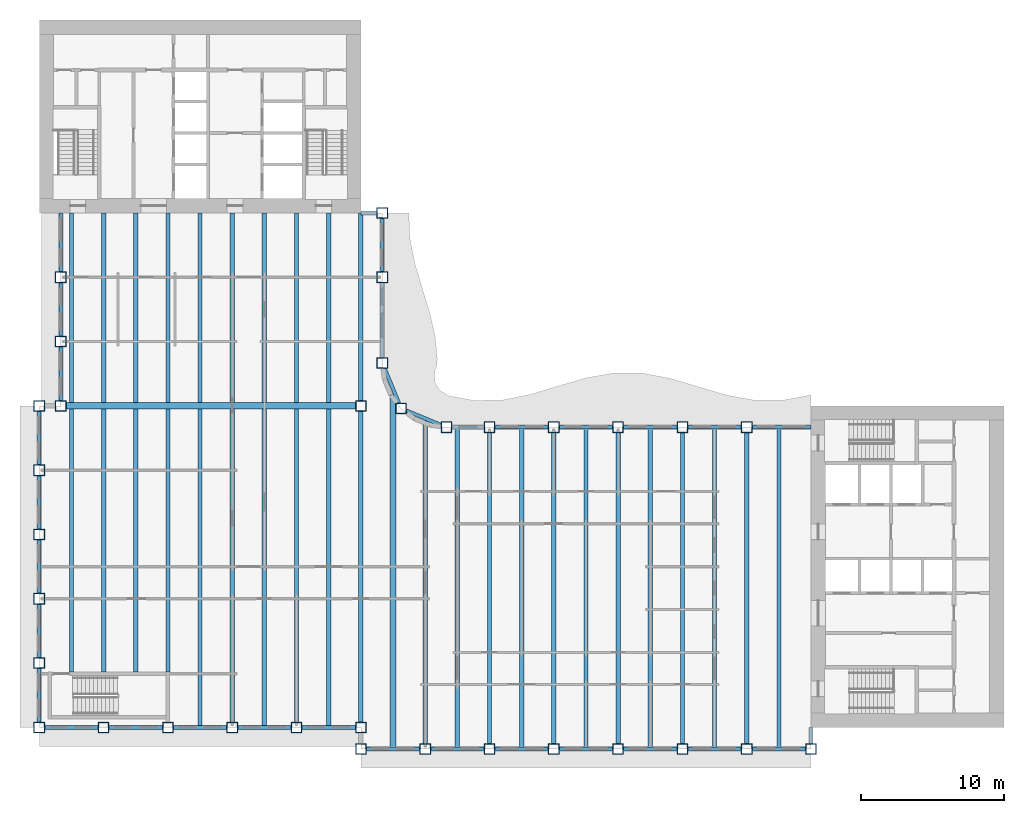
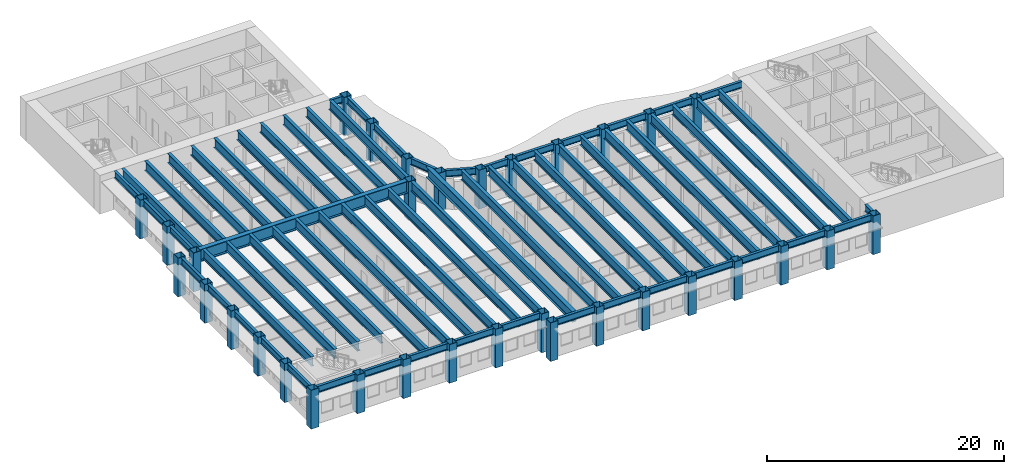
# One storey, part 1 of 16: 66 beams, 33 columns.
"""IFC4 building model written with IfcOpenShell, lengths in metres."""

import ifcopenshell
import ifcopenshell.guid

model = None  # the IFC model being written
_history = None  # IfcOwnerHistory: only IFC2X3 demands one
_inside = {}  # id of a spatial element -> (the spatial element, [elements in it])
_under = {}  # id of a project, library or spatial element -> (it, [spatial elements below it])
_declared = {}  # id of a project -> (the project, [libraries it declares])
_typed = {}  # id of a type object -> (the type object, [elements of that type])
_made_of = {}  # id of a material, layer set ... -> (it, [elements and type objects made of it])


def new_model(schema):
    """Start an empty IFC model of exactly this schema.

    Asked for "IFC4X3", IfcOpenShell would pick the latest addendum, in which some entities
    have other attributes; the version numbers below select the first issue.
    IFC2X3 requires an IfcOwnerHistory on every rooted entity: one is made here for all.
    """
    global model, _history
    if schema == "IFC4X3":
        model = ifcopenshell.file(schema_version=(4, 3, 0, 0))
    else:
        model = ifcopenshell.file(schema=schema)
    _inside.clear()
    _under.clear()
    _declared.clear()
    _typed.clear()
    _made_of.clear()
    _history = None
    if model.schema == "IFC2X3":
        org = make("IfcOrganization", Name="unknown")
        user = make(
            "IfcPersonAndOrganization",
            ThePerson=make("IfcPerson", FamilyName="unknown"),
            TheOrganization=org,
        )
        app = make(
            "IfcApplication",
            ApplicationDeveloper=org,
            Version="unknown",
            ApplicationFullName="unknown",
            ApplicationIdentifier="unknown",
        )
        _history = make(
            "IfcOwnerHistory",
            OwningUser=user,
            OwningApplication=app,
            ChangeAction="ADDED",
            CreationDate=0,
        )
    return model


def make(cls, **values):
    """One entity of the class cls with the attributes given. An attribute that is None is left unset."""
    return model.create_entity(
        cls, **{name: value for name, value in values.items() if value is not None}
    )


def rooted(cls, **values):
    """An entity with a GlobalId (a new one), such as an element, a storey or a relation."""
    return make(cls, GlobalId=ifcopenshell.guid.new(), OwnerHistory=_history, **values)


def si_unit(unit_type, name, prefix=None):
    """IfcSIUnit, for example si_unit("LENGTHUNIT", "METRE", prefix="MILLI")."""
    return make("IfcSIUnit", UnitType=unit_type, Prefix=prefix, Name=name)


def assignment(units):
    """IfcUnitAssignment: the units of a project."""
    return None if units is None else make("IfcUnitAssignment", Units=units)


def point(xyz):
    """IfcCartesianPoint."""
    return None if xyz is None else make("IfcCartesianPoint", Coordinates=xyz)


def direction(xyz):
    """IfcDirection."""
    return None if xyz is None else make("IfcDirection", DirectionRatios=xyz)


def frame(location, z_axis=None, x_axis=None):
    """IfcAxis2Placement3D, a coordinate frame: its origin and axes. An axis left out is left unset."""
    return make(
        "IfcAxis2Placement3D",
        Location=point(location),
        Axis=direction(z_axis),
        RefDirection=direction(x_axis),
    )


def frame_2d(location, x_axis=None):
    """IfcAxis2Placement2D, a coordinate frame in the plane: its origin and x axis."""
    return make(
        "IfcAxis2Placement2D", Location=point(location), RefDirection=direction(x_axis)
    )


def origin():
    """The frame at (0, 0, 0) with its axes left unset."""
    return frame((0.0, 0.0, 0.0))


def origin_2d():
    """The frame at (0, 0) in the plane with its x axis left unset."""
    return frame_2d((0.0, 0.0))


def place(relative_to, where):
    """IfcLocalPlacement: puts the frame where relative to a parent placement (None: the world)."""
    return make(
        "IfcLocalPlacement", PlacementRelTo=relative_to, RelativePlacement=where
    )


def context(
    kind, dimensions, precision=None, world=None, true_north=None, identifier=None
):
    """IfcGeometricRepresentationContext, for example the 3D "Model" context."""
    return make(
        "IfcGeometricRepresentationContext",
        ContextIdentifier=identifier,
        ContextType=kind,
        CoordinateSpaceDimension=dimensions,
        Precision=precision,
        WorldCoordinateSystem=world,
        TrueNorth=true_north,
    )


def subcontext(parent, identifier, kind, view, scale=None):
    """IfcGeometricRepresentationSubContext, for example "Body" below "Model"."""
    return make(
        "IfcGeometricRepresentationSubContext",
        ContextIdentifier=identifier,
        ContextType=kind,
        ParentContext=parent,
        TargetScale=scale,
        TargetView=view,
    )


def project(units=None, contexts=None):
    """IfcProject with its units and contexts."""
    return rooted(
        "IfcProject",
        Name="project",
        RepresentationContexts=contexts,
        UnitsInContext=assignment(units),
    )


def spatial(cls, under=None, at=None, **own):
    """A site, building, storey or space (cls), placed at a placement, below another one or the project."""
    s = rooted(cls, ObjectPlacement=at, **own)
    if under is not None:
        _under.setdefault(under.id(), (under, []))[1].append(s)
    return s


def profile(cls, at=None, kind="AREA", **sizes):
    """A parametric profile (cls). Its sizes go by their IFC names, for example OverallWidth=200.0."""
    return make(cls, ProfileType=kind, Position=at, **sizes)


def hollow_rectangle(**sizes):
    """IfcRectangleHollowProfileDef."""
    return profile("IfcRectangleHollowProfileDef", **sizes)


def i_section(**sizes):
    """IfcIShapeProfileDef."""
    return profile("IfcIShapeProfileDef", **sizes)


def extrude(swept, where, along, depth):
    """IfcExtrudedAreaSolid: the profile swept, set in the frame where, extruded along a direction by depth."""
    return make(
        "IfcExtrudedAreaSolid",
        SweptArea=swept,
        Position=where,
        ExtrudedDirection=direction(along),
        Depth=depth,
    )


def shape(context_of_items, identifier, shape_type, items):
    """IfcShapeRepresentation: the items that make up one representation, for example the "Body"."""
    return make(
        "IfcShapeRepresentation",
        ContextOfItems=context_of_items,
        RepresentationIdentifier=identifier,
        RepresentationType=shape_type,
        Items=items,
    )


def material(Name=None, Category=None):
    """IfcMaterial."""
    return make("IfcMaterial", Name=Name, Category=Category)


def material_profile(
    of_material, cross_section, Name=None, Category=None, Priority=None
):
    """IfcMaterialProfile: a cross section and its material."""
    return make(
        "IfcMaterialProfile",
        Name=Name,
        Material=of_material,
        Profile=cross_section,
        Priority=Priority,
        Category=Category,
    )


def profile_set(profiles, Name=None, composite=None):
    """IfcMaterialProfileSet."""
    return make(
        "IfcMaterialProfileSet",
        Name=Name,
        MaterialProfiles=profiles,
        CompositeProfile=composite,
    )


def made_of(thing, what):
    """Note that an element or type object is made of a material, layer set ...; save() writes the relation."""
    if what is not None:
        _made_of.setdefault(what.id(), (what, []))[1].append(thing)
    return thing


def type_object(cls, material=None, **own):
    """A type object (cls), such as IfcWallType, which elements share."""
    return made_of(rooted(cls, **own), material)


def element(
    cls,
    number,
    at=None,
    inside=None,
    cuts=None,
    type_object=None,
    material=None,
    context=None,
    identifier="Body",
    shape_type=None,
    held_by="IfcProductDefinitionShape",
    body=None,
    shapes=None,
    **own,
):
    """One element of the class cls, such as IfcWall. Its Tag is "e" and its number.

    at: its placement. inside: the storey or other place that contains it. cuts: it is an
    opening in that element (IfcRelVoidsElement). A single representation is given by context,
    identifier, shape_type and body (its items); several are given by shapes. held_by: the class
    of the entity that holds the representations. save() writes the other relations.
    """
    e = rooted(cls, Tag="e%d" % number, ObjectPlacement=at, **own)
    if body is not None:
        shapes = [shape(context, identifier, shape_type, body)]
    if shapes is not None:
        e.Representation = make(held_by, Representations=shapes)
    if inside is not None:
        _inside.setdefault(inside.id(), (inside, []))[1].append(e)
    if cuts is not None:
        rooted(
            "IfcRelVoidsElement", RelatingBuildingElement=cuts, RelatedOpeningElement=e
        )
    if type_object is not None:
        _typed.setdefault(type_object.id(), (type_object, []))[1].append(e)
    return made_of(e, material)


def aggregate(whole, parts):
    """IfcRelAggregates: a whole, such as a stair, and the parts it consists of."""
    return rooted("IfcRelAggregates", RelatingObject=whole, RelatedObjects=parts)


def save(model, path):
    """Write the relations noted so far, then the file.

    IfcRelAggregates (storeys below a building ...), IfcRelContainedInSpatialStructure (elements
    in a storey), IfcRelDefinesByType, IfcRelAssociatesMaterial and IfcRelDeclares: one each for
    every whole, place, type object, material and project.
    """
    for whole, parts in _under.values():
        aggregate(whole, parts)
    for where, things in _inside.values():
        rooted(
            "IfcRelContainedInSpatialStructure",
            RelatedElements=things,
            RelatingStructure=where,
        )
    for kind, things in _typed.values():
        rooted("IfcRelDefinesByType", RelatedObjects=things, RelatingType=kind)
    for what, things in _made_of.values():
        rooted("IfcRelAssociatesMaterial", RelatedObjects=things, RelatingMaterial=what)
    for by, libraries in _declared.values():
        rooted("IfcRelDeclares", RelatingContext=by, RelatedDefinitions=libraries)
    model.write(path)


model = new_model("IFC4")

# Units and contexts
model_context = context("Model", 3, precision=1e-05, world=origin(), true_north=direction((0.0, 1.0)))
body_context = subcontext(model_context, "Body", "Model", "MODEL_VIEW")
ifc_project = project(units=[si_unit("LENGTHUNIT", "METRE"), si_unit("AREAUNIT", "SQUARE_METRE"), si_unit("VOLUMEUNIT", "CUBIC_METRE"), si_unit("PLANEANGLEUNIT", "RADIAN"), si_unit("MASSUNIT", "GRAM", prefix="KILO")], contexts=[model_context])

# Site, building, storey
site_placement = place(None, origin())
site = spatial("IfcSite", under=ifc_project, at=site_placement, CompositionType="ELEMENT")
building_placement = place(site_placement, origin())
building = spatial("IfcBuilding", under=site, at=building_placement, Name="Sennacour Bend Tower", CompositionType="ELEMENT")
storey_placement = place(building_placement, frame((0.0, 0.0, 231.0)))
storey = spatial("IfcBuildingStorey", under=building, at=storey_placement, Name="L53", CompositionType="ELEMENT", Elevation=231.0)

# Columns
ifc_material_1 = material(Name="Steel ASTM A572 Grade 50", Category="steel")
ifc_material_profile_1 = material_profile(ifc_material_1, hollow_rectangle(XDim=0.75, YDim=0.75, WallThickness=0.035888671875, at=origin_2d()), Name="Steel ASTM A572 Grade 50", Category="steel")
ifc_profile_set_1 = profile_set([ifc_material_profile_1], Name="Steel ASTM A572 Grade 50")
column_type = type_object("IfcColumnType", Name="Box column 750", PredefinedType="COLUMN", material=ifc_profile_set_1)
for number, where, z_axis, x_axis, name in (
    (1, (0.0, 0.0, -0.14990234375), (0.0, 0.0, 1.0), (1.0, 0.0, 0.0), "Perimeter column C4 L53-001"),
    (2, (0.0, 4.5, -0.14990234375), (0.0, 0.0, 1.0), (1.0, 0.0, 0.0), "Perimeter column C4 L53-002"),
    (3, (0.0, 9.0, -0.14990234375), (0.0, 0.0, 1.0), (1.0, 0.0, 0.0), "Perimeter column C4 L53-003"),
    (4, (0.0, 13.5, -0.14990234375), (0.0, 0.0, 1.0), (1.0, 0.0, 0.0), "Perimeter column C4 L53-004"),
    (5, (0.0, 18.0, -0.14990234375), (0.0, 0.0, 1.0), (1.0, 0.0, 0.0), "Perimeter column C4 L53-005"),
    (6, (0.0, 22.5, -0.14990234375), (0.0, 0.0, 1.0), (1.0, 0.0, 0.0), "Perimeter column C4 L53-006"),
    (7, (1.5, 22.5, -0.14990234375), (0.0, 0.0, 1.0), (1.0, 0.0, 0.0), "Perimeter column C4 L53-007"),
    (8, (1.5, 27.0, -0.14990234375), (0.0, 0.0, 1.0), (1.0, 0.0, 0.0), "Perimeter column C4 L53-008"),
    (9, (1.5, 31.5, -0.14990234375), (0.0, 0.0, 1.0), (1.0, 0.0, 0.0), "Perimeter column C4 L53-009"),
    (10, (4.5, 0.0, -0.14990234375), (0.0, 0.0, 1.0), (1.0, 0.0, 0.0), "Perimeter column C4 L53-010"),
    (11, (9.0, 0.0, -0.14990234375), (0.0, 0.0, 1.0), (1.0, 0.0, 0.0), "Perimeter column C4 L53-011"),
    (12, (13.5, 0.0, -0.14990234375), (0.0, 0.0, 1.0), (1.0, 0.0, 0.0), "Perimeter column C4 L53-012"),
    (13, (18.0, 0.0, -0.14990234375), (0.0, 0.0, 1.0), (1.0, 0.0, 0.0), "Perimeter column C4 L53-013"),
    (14, (22.5, -1.5, -0.14990234375), (0.0, 0.0, 1.0), (1.0, 0.0, 0.0), "Perimeter column C4 L53-014"),
    (15, (22.5, 0.0, -0.14990234375), (0.0, 0.0, 1.0), (1.0, 0.0, 0.0), "Perimeter column C4 L53-015"),
    (16, (22.5, 22.5, -0.14990234375), (0.0, 0.0, 1.0), (1.0, 0.0, 0.0), "Knuckle column C4 L53-016"),
    (17, (24.0, 25.5, -0.14990234375), (0.0, 0.0, 1.0), (1.0, 0.0, 0.0), "Perimeter column C4 L53-017"),
    (18, (24.0, 31.5, -0.14990234375), (0.0, 0.0, 1.0), (1.0, 0.0, 0.0), "Perimeter column C4 L53-018"),
    (19, (24.0, 36.0, -0.14990234375), (0.0, 0.0, 1.0), (1.0, 0.0, 0.0), "Perimeter column C4 L53-019"),
    (20, (25.318115234375, 22.318115234375, -0.14990234375), (0.0, 0.0, 1.0), (1.0, 0.0, 0.0), "Perimeter column C4 L53-020"),
    (21, (27.0, -1.5, -0.14990234375), (0.0, 0.0, 1.0), (1.0, 0.0, 0.0), "Perimeter column C4 L53-021"),
    (22, (28.5, 21.0, -0.14990234375), (0.0, 0.0, 1.0), (1.0, 0.0, 0.0), "Perimeter column C4 L53-022"),
    (23, (31.5, -1.5, -0.14990234375), (0.0, 0.0, 1.0), (1.0, 0.0, 0.0), "Perimeter column C4 L53-023"),
    (24, (31.5, 21.0, -0.14990234375), (0.0, 0.0, 1.0), (1.0, 0.0, 0.0), "Perimeter column C4 L53-024"),
    (25, (36.0, -1.5, -0.14990234375), (0.0, 0.0, 1.0), (1.0, 0.0, 0.0), "Perimeter column C4 L53-025"),
    (26, (36.0, 21.0, -0.14990234375), (0.0, 0.0, 1.0), (1.0, 0.0, 0.0), "Perimeter column C4 L53-026"),
    (27, (40.5, -1.5, -0.14990234375), (0.0, 0.0, 1.0), (1.0, 0.0, 0.0), "Perimeter column C4 L53-027"),
    (28, (40.5, 21.0, -0.14990234375), (0.0, 0.0, 1.0), (1.0, 0.0, 0.0), "Perimeter column C4 L53-028"),
    (29, (45.0, -1.5, -0.14990234375), (0.0, 0.0, 1.0), (1.0, 0.0, 0.0), "Perimeter column C4 L53-029"),
    (30, (45.0, 21.0, -0.14990234375), (0.0, 0.0, 1.0), (1.0, 0.0, 0.0), "Perimeter column C4 L53-030"),
    (31, (49.5, -1.5, -0.14990234375), (0.0, 0.0, 1.0), (1.0, 0.0, 0.0), "Perimeter column C4 L53-031"),
    (32, (49.5, 21.0, -0.14990234375), (0.0, 0.0, 1.0), (1.0, 0.0, 0.0), "Perimeter column C4 L53-032"),
    (33, (54.0, -1.5, -0.14990234375), (0.0, 0.0, 1.0), (1.0, 0.0, 0.0), "Perimeter column C4 L53-033"),
):
    element("IfcColumn", number, at=place(storey_placement, frame(where, z_axis=z_axis, x_axis=x_axis)), inside=storey, type_object=column_type, Name=name, PredefinedType="COLUMN", context=body_context, shape_type="SweptSolid", body=[
        extrude(hollow_rectangle(XDim=0.75, YDim=0.75, WallThickness=0.035888671875, at=origin_2d()), origin(), (0.0, 0.0, 1.0), 4.0),
    ])

# Beams
ifc_material_2 = material(Name="Steel ASTM A992 Grade 50", Category="steel")
ifc_material_profile_2 = material_profile(ifc_material_2, i_section(OverallWidth=0.300048828125, OverallDepth=0.97998046875, WebThickness=0.0166015625, FlangeThickness=0.026123046875, FilletRadius=0.02978515625, at=origin_2d()), Name="Steel ASTM A992 Grade 50", Category="steel")
ifc_profile_set_2 = profile_set([ifc_material_profile_2], Name="Steel ASTM A992 Grade 50")
beam_type_1 = type_object("IfcBeamType", Name="Floor beam W1000X249", PredefinedType="BEAM", material=ifc_profile_set_2)
beam_1_placement = place(storey_placement, frame((2.25, 3.875, 3.360107421875), z_axis=(0.0, 1.0, 0.0), x_axis=(-1.0, 0.0, 0.0)))
element("IfcBeam", 34, at=beam_1_placement, inside=storey, type_object=beam_type_1, Name="Floor beam FBM2 L54-001", PredefinedType="BEAM", context=body_context, shape_type="SweptSolid", body=[
    extrude(i_section(OverallWidth=0.300048828125, OverallDepth=0.97998046875, WebThickness=0.0166015625, FlangeThickness=0.026123046875, FilletRadius=0.02978515625, at=origin_2d()), origin(), (0.0, 0.0, 1.0), 18.39990234375),
])
beam_2_placement = place(storey_placement, frame((2.25, 22.72509765625, 3.360107421875), z_axis=(0.0, 1.0, 0.0), x_axis=(-1.0, 0.0, 0.0)))
element("IfcBeam", 35, at=beam_2_placement, inside=storey, type_object=beam_type_1, Name="Floor beam FBM2 L54-002", PredefinedType="BEAM", context=body_context, shape_type="SweptSolid", body=[
    extrude(i_section(OverallWidth=0.300048828125, OverallDepth=0.97998046875, WebThickness=0.0166015625, FlangeThickness=0.026123046875, FilletRadius=0.02978515625, at=origin_2d()), origin(), (0.0, 0.0, 1.0), 13.27490234375),
])
beam_3_placement = place(storey_placement, frame((4.5, 3.875, 3.360107421875), z_axis=(0.0, 1.0, 0.0), x_axis=(-1.0, 0.0, 0.0)))
element("IfcBeam", 36, at=beam_3_placement, inside=storey, type_object=beam_type_1, Name="Floor beam FBM2 L54-003", PredefinedType="BEAM", context=body_context, shape_type="SweptSolid", body=[
    extrude(i_section(OverallWidth=0.300048828125, OverallDepth=0.97998046875, WebThickness=0.0166015625, FlangeThickness=0.026123046875, FilletRadius=0.02978515625, at=origin_2d()), origin(), (0.0, 0.0, 1.0), 18.39990234375),
])
beam_4_placement = place(storey_placement, frame((4.5, 22.72509765625, 3.360107421875), z_axis=(0.0, 1.0, 0.0), x_axis=(-1.0, 0.0, 0.0)))
element("IfcBeam", 37, at=beam_4_placement, inside=storey, type_object=beam_type_1, Name="Floor beam FBM2 L54-004", PredefinedType="BEAM", context=body_context, shape_type="SweptSolid", body=[
    extrude(i_section(OverallWidth=0.300048828125, OverallDepth=0.97998046875, WebThickness=0.0166015625, FlangeThickness=0.026123046875, FilletRadius=0.02978515625, at=origin_2d()), origin(), (0.0, 0.0, 1.0), 13.27490234375),
])
beam_5_placement = place(storey_placement, frame((6.75, 3.875, 3.360107421875), z_axis=(0.0, 1.0, 0.0), x_axis=(-1.0, 0.0, 0.0)))
element("IfcBeam", 38, at=beam_5_placement, inside=storey, type_object=beam_type_1, Name="Floor beam FBM2 L54-005", PredefinedType="BEAM", context=body_context, shape_type="SweptSolid", body=[
    extrude(i_section(OverallWidth=0.300048828125, OverallDepth=0.97998046875, WebThickness=0.0166015625, FlangeThickness=0.026123046875, FilletRadius=0.02978515625, at=origin_2d()), origin(), (0.0, 0.0, 1.0), 18.39990234375),
])
beam_6_placement = place(storey_placement, frame((6.75, 22.72509765625, 3.360107421875), z_axis=(0.0, 1.0, 0.0), x_axis=(-1.0, 0.0, 0.0)))
element("IfcBeam", 39, at=beam_6_placement, inside=storey, type_object=beam_type_1, Name="Floor beam FBM2 L54-006", PredefinedType="BEAM", context=body_context, shape_type="SweptSolid", body=[
    extrude(i_section(OverallWidth=0.300048828125, OverallDepth=0.97998046875, WebThickness=0.0166015625, FlangeThickness=0.026123046875, FilletRadius=0.02978515625, at=origin_2d()), origin(), (0.0, 0.0, 1.0), 13.27490234375),
])
beam_7_placement = place(storey_placement, frame((9.0, 3.875, 3.360107421875), z_axis=(0.0, 1.0, 0.0), x_axis=(-1.0, 0.0, 0.0)))
element("IfcBeam", 40, at=beam_7_placement, inside=storey, type_object=beam_type_1, Name="Floor beam FBM2 L54-007", PredefinedType="BEAM", context=body_context, shape_type="SweptSolid", body=[
    extrude(i_section(OverallWidth=0.300048828125, OverallDepth=0.97998046875, WebThickness=0.0166015625, FlangeThickness=0.026123046875, FilletRadius=0.02978515625, at=origin_2d()), origin(), (0.0, 0.0, 1.0), 18.39990234375),
])
beam_8_placement = place(storey_placement, frame((9.0, 22.72509765625, 3.360107421875), z_axis=(0.0, 1.0, 0.0), x_axis=(-1.0, 0.0, 0.0)))
element("IfcBeam", 41, at=beam_8_placement, inside=storey, type_object=beam_type_1, Name="Floor beam FBM2 L54-008", PredefinedType="BEAM", context=body_context, shape_type="SweptSolid", body=[
    extrude(i_section(OverallWidth=0.300048828125, OverallDepth=0.97998046875, WebThickness=0.0166015625, FlangeThickness=0.026123046875, FilletRadius=0.02978515625, at=origin_2d()), origin(), (0.0, 0.0, 1.0), 13.27490234375),
])
beam_9_placement = place(storey_placement, frame((11.25, 0.12841796875, 3.360107421875), z_axis=(0.0, 1.0, 0.0), x_axis=(-1.0, 0.0, 0.0)))
element("IfcBeam", 42, at=beam_9_placement, inside=storey, type_object=beam_type_1, Name="Floor beam FBM2 L54-009", PredefinedType="BEAM", context=body_context, shape_type="SweptSolid", body=[
    extrude(i_section(OverallWidth=0.300048828125, OverallDepth=0.97998046875, WebThickness=0.0166015625, FlangeThickness=0.026123046875, FilletRadius=0.02978515625, at=origin_2d()), origin(), (0.0, 0.0, 1.0), 22.146484375),
])
beam_10_placement = place(storey_placement, frame((11.25, 22.72509765625, 3.360107421875), z_axis=(0.0, 1.0, 0.0), x_axis=(-1.0, 0.0, 0.0)))
element("IfcBeam", 43, at=beam_10_placement, inside=storey, type_object=beam_type_1, Name="Floor beam FBM2 L54-010", PredefinedType="BEAM", context=body_context, shape_type="SweptSolid", body=[
    extrude(i_section(OverallWidth=0.300048828125, OverallDepth=0.97998046875, WebThickness=0.0166015625, FlangeThickness=0.026123046875, FilletRadius=0.02978515625, at=origin_2d()), origin(), (0.0, 0.0, 1.0), 13.27490234375),
])
beam_11_placement = place(storey_placement, frame((13.5, 0.375, 3.360107421875), z_axis=(0.0, 1.0, 0.0), x_axis=(-1.0, 0.0, 0.0)))
element("IfcBeam", 44, at=beam_11_placement, inside=storey, type_object=beam_type_1, Name="Floor beam FBM2 L54-011", PredefinedType="BEAM", context=body_context, shape_type="SweptSolid", body=[
    extrude(i_section(OverallWidth=0.300048828125, OverallDepth=0.97998046875, WebThickness=0.0166015625, FlangeThickness=0.026123046875, FilletRadius=0.02978515625, at=origin_2d()), origin(), (0.0, 0.0, 1.0), 21.89990234375),
])
beam_12_placement = place(storey_placement, frame((13.5, 22.72509765625, 3.360107421875), z_axis=(0.0, 1.0, 0.0), x_axis=(-1.0, 0.0, 0.0)))
element("IfcBeam", 45, at=beam_12_placement, inside=storey, type_object=beam_type_1, Name="Floor beam FBM2 L54-012", PredefinedType="BEAM", context=body_context, shape_type="SweptSolid", body=[
    extrude(i_section(OverallWidth=0.300048828125, OverallDepth=0.97998046875, WebThickness=0.0166015625, FlangeThickness=0.026123046875, FilletRadius=0.02978515625, at=origin_2d()), origin(), (0.0, 0.0, 1.0), 13.27490234375),
])
beam_13_placement = place(storey_placement, frame((15.75, 0.12841796875, 3.360107421875), z_axis=(0.0, 1.0, 0.0), x_axis=(-1.0, 0.0, 0.0)))
element("IfcBeam", 46, at=beam_13_placement, inside=storey, type_object=beam_type_1, Name="Floor beam FBM2 L54-013", PredefinedType="BEAM", context=body_context, shape_type="SweptSolid", body=[
    extrude(i_section(OverallWidth=0.300048828125, OverallDepth=0.97998046875, WebThickness=0.0166015625, FlangeThickness=0.026123046875, FilletRadius=0.02978515625, at=origin_2d()), origin(), (0.0, 0.0, 1.0), 22.146484375),
])
beam_14_placement = place(storey_placement, frame((15.75, 22.72509765625, 3.360107421875), z_axis=(0.0, 1.0, 0.0), x_axis=(-1.0, 0.0, 0.0)))
element("IfcBeam", 47, at=beam_14_placement, inside=storey, type_object=beam_type_1, Name="Floor beam FBM2 L54-014", PredefinedType="BEAM", context=body_context, shape_type="SweptSolid", body=[
    extrude(i_section(OverallWidth=0.300048828125, OverallDepth=0.97998046875, WebThickness=0.0166015625, FlangeThickness=0.026123046875, FilletRadius=0.02978515625, at=origin_2d()), origin(), (0.0, 0.0, 1.0), 13.27490234375),
])
beam_15_placement = place(storey_placement, frame((18.0, 0.375, 3.360107421875), z_axis=(0.0, 1.0, 0.0), x_axis=(-1.0, 0.0, 0.0)))
element("IfcBeam", 48, at=beam_15_placement, inside=storey, type_object=beam_type_1, Name="Floor beam FBM2 L54-015", PredefinedType="BEAM", context=body_context, shape_type="SweptSolid", body=[
    extrude(i_section(OverallWidth=0.300048828125, OverallDepth=0.97998046875, WebThickness=0.0166015625, FlangeThickness=0.026123046875, FilletRadius=0.02978515625, at=origin_2d()), origin(), (0.0, 0.0, 1.0), 21.89990234375),
])
beam_16_placement = place(storey_placement, frame((18.0, 22.72509765625, 3.360107421875), z_axis=(0.0, 1.0, 0.0), x_axis=(-1.0, 0.0, 0.0)))
element("IfcBeam", 49, at=beam_16_placement, inside=storey, type_object=beam_type_1, Name="Floor beam FBM2 L54-016", PredefinedType="BEAM", context=body_context, shape_type="SweptSolid", body=[
    extrude(i_section(OverallWidth=0.300048828125, OverallDepth=0.97998046875, WebThickness=0.0166015625, FlangeThickness=0.026123046875, FilletRadius=0.02978515625, at=origin_2d()), origin(), (0.0, 0.0, 1.0), 13.27490234375),
])
beam_17_placement = place(storey_placement, frame((20.25, 0.12841796875, 3.360107421875), z_axis=(0.0, 1.0, 0.0), x_axis=(-1.0, 0.0, 0.0)))
element("IfcBeam", 50, at=beam_17_placement, inside=storey, type_object=beam_type_1, Name="Floor beam FBM2 L54-017", PredefinedType="BEAM", context=body_context, shape_type="SweptSolid", body=[
    extrude(i_section(OverallWidth=0.300048828125, OverallDepth=0.97998046875, WebThickness=0.0166015625, FlangeThickness=0.026123046875, FilletRadius=0.02978515625, at=origin_2d()), origin(), (0.0, 0.0, 1.0), 22.146484375),
])
beam_18_placement = place(storey_placement, frame((20.25, 22.72509765625, 3.360107421875), z_axis=(0.0, 1.0, 0.0), x_axis=(-1.0, 0.0, 0.0)))
element("IfcBeam", 51, at=beam_18_placement, inside=storey, type_object=beam_type_1, Name="Floor beam FBM2 L54-018", PredefinedType="BEAM", context=body_context, shape_type="SweptSolid", body=[
    extrude(i_section(OverallWidth=0.300048828125, OverallDepth=0.97998046875, WebThickness=0.0166015625, FlangeThickness=0.026123046875, FilletRadius=0.02978515625, at=origin_2d()), origin(), (0.0, 0.0, 1.0), 13.27490234375),
])
beam_19_placement = place(storey_placement, frame((22.5, 0.375, 3.360107421875), z_axis=(0.0, 1.0, 0.0), x_axis=(-1.0, 0.0, 0.0)))
element("IfcBeam", 52, at=beam_19_placement, inside=storey, type_object=beam_type_1, Name="Floor beam FBM2 L54-019", PredefinedType="BEAM", context=body_context, shape_type="SweptSolid", body=[
    extrude(i_section(OverallWidth=0.300048828125, OverallDepth=0.97998046875, WebThickness=0.0166015625, FlangeThickness=0.026123046875, FilletRadius=0.02978515625, at=origin_2d()), origin(), (0.0, 0.0, 1.0), 21.75),
])
beam_20_placement = place(storey_placement, frame((22.5, 22.875, 3.360107421875), z_axis=(0.0, 1.0, 0.0), x_axis=(-1.0, 0.0, 0.0)))
element("IfcBeam", 53, at=beam_20_placement, inside=storey, type_object=beam_type_1, Name="Floor beam FBM2 L54-020", PredefinedType="BEAM", context=body_context, shape_type="SweptSolid", body=[
    extrude(i_section(OverallWidth=0.300048828125, OverallDepth=0.97998046875, WebThickness=0.0166015625, FlangeThickness=0.026123046875, FilletRadius=0.02978515625, at=origin_2d()), origin(), (0.0, 0.0, 1.0), 13.125),
])
beam_21_placement = place(storey_placement, frame((27.0, -1.125, 3.360107421875), z_axis=(0.0, 1.0, 0.0), x_axis=(-1.0, 0.0, 0.0)))
element("IfcBeam", 54, at=beam_21_placement, inside=storey, type_object=beam_type_1, Name="Floor beam FBM2 L54-022", PredefinedType="BEAM", context=body_context, shape_type="SweptSolid", body=[
    extrude(i_section(OverallWidth=0.300048828125, OverallDepth=0.97998046875, WebThickness=0.0166015625, FlangeThickness=0.026123046875, FilletRadius=0.02978515625, at=origin_2d()), origin(), (0.0, 0.0, 1.0), 22.607177734375),
])
beam_22_placement = place(storey_placement, frame((29.25, -1.37158203125, 3.360107421875), z_axis=(0.0, 1.0, 0.0), x_axis=(-1.0, 0.0, 0.0)))
element("IfcBeam", 55, at=beam_22_placement, inside=storey, type_object=beam_type_1, Name="Floor beam FBM2 L54-023", PredefinedType="BEAM", context=body_context, shape_type="SweptSolid", body=[
    extrude(i_section(OverallWidth=0.300048828125, OverallDepth=0.97998046875, WebThickness=0.0166015625, FlangeThickness=0.026123046875, FilletRadius=0.02978515625, at=origin_2d()), origin(), (0.0, 0.0, 1.0), 22.2431640625),
])
beam_23_placement = place(storey_placement, frame((31.5, -1.125, 3.360107421875), z_axis=(0.0, 1.0, 0.0), x_axis=(-1.0, 0.0, 0.0)))
element("IfcBeam", 56, at=beam_23_placement, inside=storey, type_object=beam_type_1, Name="Floor beam FBM2 L54-024", PredefinedType="BEAM", context=body_context, shape_type="SweptSolid", body=[
    extrude(i_section(OverallWidth=0.300048828125, OverallDepth=0.97998046875, WebThickness=0.0166015625, FlangeThickness=0.026123046875, FilletRadius=0.02978515625, at=origin_2d()), origin(), (0.0, 0.0, 1.0), 21.75),
])
beam_24_placement = place(storey_placement, frame((33.75, -1.37158203125, 3.360107421875), z_axis=(0.0, 1.0, 0.0), x_axis=(-1.0, 0.0, 0.0)))
element("IfcBeam", 57, at=beam_24_placement, inside=storey, type_object=beam_type_1, Name="Floor beam FBM2 L54-025", PredefinedType="BEAM", context=body_context, shape_type="SweptSolid", body=[
    extrude(i_section(OverallWidth=0.300048828125, OverallDepth=0.97998046875, WebThickness=0.0166015625, FlangeThickness=0.026123046875, FilletRadius=0.02978515625, at=origin_2d()), origin(), (0.0, 0.0, 1.0), 22.2431640625),
])
beam_25_placement = place(storey_placement, frame((36.0, -1.125, 3.360107421875), z_axis=(0.0, 1.0, 0.0), x_axis=(-1.0, 0.0, 0.0)))
element("IfcBeam", 58, at=beam_25_placement, inside=storey, type_object=beam_type_1, Name="Floor beam FBM2 L54-026", PredefinedType="BEAM", context=body_context, shape_type="SweptSolid", body=[
    extrude(i_section(OverallWidth=0.300048828125, OverallDepth=0.97998046875, WebThickness=0.0166015625, FlangeThickness=0.026123046875, FilletRadius=0.02978515625, at=origin_2d()), origin(), (0.0, 0.0, 1.0), 21.75),
])
beam_26_placement = place(storey_placement, frame((38.25, -1.37158203125, 3.360107421875), z_axis=(0.0, 1.0, 0.0), x_axis=(-1.0, 0.0, 0.0)))
element("IfcBeam", 59, at=beam_26_placement, inside=storey, type_object=beam_type_1, Name="Floor beam FBM2 L54-027", PredefinedType="BEAM", context=body_context, shape_type="SweptSolid", body=[
    extrude(i_section(OverallWidth=0.300048828125, OverallDepth=0.97998046875, WebThickness=0.0166015625, FlangeThickness=0.026123046875, FilletRadius=0.02978515625, at=origin_2d()), origin(), (0.0, 0.0, 1.0), 22.2431640625),
])
beam_27_placement = place(storey_placement, frame((40.5, -1.125, 3.360107421875), z_axis=(0.0, 1.0, 0.0), x_axis=(-1.0, 0.0, 0.0)))
element("IfcBeam", 60, at=beam_27_placement, inside=storey, type_object=beam_type_1, Name="Floor beam FBM2 L54-028", PredefinedType="BEAM", context=body_context, shape_type="SweptSolid", body=[
    extrude(i_section(OverallWidth=0.300048828125, OverallDepth=0.97998046875, WebThickness=0.0166015625, FlangeThickness=0.026123046875, FilletRadius=0.02978515625, at=origin_2d()), origin(), (0.0, 0.0, 1.0), 21.75),
])
beam_28_placement = place(storey_placement, frame((42.75, -1.37158203125, 3.360107421875), z_axis=(0.0, 1.0, 0.0), x_axis=(-1.0, 0.0, 0.0)))
element("IfcBeam", 61, at=beam_28_placement, inside=storey, type_object=beam_type_1, Name="Floor beam FBM2 L54-029", PredefinedType="BEAM", context=body_context, shape_type="SweptSolid", body=[
    extrude(i_section(OverallWidth=0.300048828125, OverallDepth=0.97998046875, WebThickness=0.0166015625, FlangeThickness=0.026123046875, FilletRadius=0.02978515625, at=origin_2d()), origin(), (0.0, 0.0, 1.0), 22.2431640625),
])
beam_29_placement = place(storey_placement, frame((45.0, -1.125, 3.360107421875), z_axis=(0.0, 1.0, 0.0), x_axis=(-1.0, 0.0, 0.0)))
element("IfcBeam", 62, at=beam_29_placement, inside=storey, type_object=beam_type_1, Name="Floor beam FBM2 L54-030", PredefinedType="BEAM", context=body_context, shape_type="SweptSolid", body=[
    extrude(i_section(OverallWidth=0.300048828125, OverallDepth=0.97998046875, WebThickness=0.0166015625, FlangeThickness=0.026123046875, FilletRadius=0.02978515625, at=origin_2d()), origin(), (0.0, 0.0, 1.0), 21.75),
])
beam_30_placement = place(storey_placement, frame((47.25, -1.37158203125, 3.360107421875), z_axis=(0.0, 1.0, 0.0), x_axis=(-1.0, 0.0, 0.0)))
element("IfcBeam", 63, at=beam_30_placement, inside=storey, type_object=beam_type_1, Name="Floor beam FBM2 L54-031", PredefinedType="BEAM", context=body_context, shape_type="SweptSolid", body=[
    extrude(i_section(OverallWidth=0.300048828125, OverallDepth=0.97998046875, WebThickness=0.0166015625, FlangeThickness=0.026123046875, FilletRadius=0.02978515625, at=origin_2d()), origin(), (0.0, 0.0, 1.0), 22.2431640625),
])
beam_31_placement = place(storey_placement, frame((49.5, -1.125, 3.360107421875), z_axis=(0.0, 1.0, 0.0), x_axis=(-1.0, 0.0, 0.0)))
element("IfcBeam", 64, at=beam_31_placement, inside=storey, type_object=beam_type_1, Name="Floor beam FBM2 L54-032", PredefinedType="BEAM", context=body_context, shape_type="SweptSolid", body=[
    extrude(i_section(OverallWidth=0.300048828125, OverallDepth=0.97998046875, WebThickness=0.0166015625, FlangeThickness=0.026123046875, FilletRadius=0.02978515625, at=origin_2d()), origin(), (0.0, 0.0, 1.0), 21.75),
])
beam_32_placement = place(storey_placement, frame((51.75, -1.37158203125, 3.360107421875), z_axis=(0.0, 1.0, 0.0), x_axis=(-1.0, 0.0, 0.0)))
element("IfcBeam", 65, at=beam_32_placement, inside=storey, type_object=beam_type_1, Name="Floor beam FBM2 L54-033", PredefinedType="BEAM", context=body_context, shape_type="SweptSolid", body=[
    extrude(i_section(OverallWidth=0.300048828125, OverallDepth=0.97998046875, WebThickness=0.0166015625, FlangeThickness=0.026123046875, FilletRadius=0.02978515625, at=origin_2d()), origin(), (0.0, 0.0, 1.0), 22.2431640625),
])
ifc_material_profile_3 = material_profile(ifc_material_1, i_section(OverallWidth=0.449951171875, OverallDepth=1.25, WebThickness=0.028076171875, FlangeThickness=0.050048828125, at=origin_2d()), Name="Steel ASTM A572 Grade 50", Category="steel")
ifc_profile_set_3 = profile_set([ifc_material_profile_3], Name="Steel ASTM A572 Grade 50")
beam_type_2 = type_object("IfcBeamType", Name="Knuckle girder 1250", PredefinedType="USERDEFINED", material=ifc_profile_set_3)
beam_33_placement = place(storey_placement, frame((1.875, 22.5, 3.22509765625), z_axis=(1.0, 0.0, 0.0), x_axis=(0.0, 1.0, 0.0)))
element("IfcBeam", 66, at=beam_33_placement, inside=storey, type_object=beam_type_2, Name="Knuckle girder GK L54-001", ObjectType="KNUCKLE GIRDER", PredefinedType="USERDEFINED", context=body_context, shape_type="SweptSolid", body=[
    extrude(i_section(OverallWidth=0.449951171875, OverallDepth=1.25, WebThickness=0.028076171875, FlangeThickness=0.050048828125, at=origin_2d()), origin(), (0.0, 0.0, 1.0), 20.25),
])
ifc_material_profile_4 = material_profile(ifc_material_2, i_section(OverallWidth=0.40087890625, OverallDepth=1.090087890625, WebThickness=0.01806640625, FlangeThickness=0.031005859375, FilletRadius=0.02001953125, at=origin_2d()), Name="Steel ASTM A992 Grade 50", Category="steel")
ifc_profile_set_4 = profile_set([ifc_material_profile_4], Name="Steel ASTM A992 Grade 50")
beam_type_3 = type_object("IfcBeamType", Name="Notch floor beam W1100X343", PredefinedType="BEAM", material=ifc_profile_set_4)
beam_34_placement = place(storey_placement, frame((24.75, -1.37158203125, 3.304931640625), z_axis=(0.0, 1.0, 0.0), x_axis=(-1.0, 0.0, 0.0)))
element("IfcBeam", 67, at=beam_34_placement, inside=storey, type_object=beam_type_3, Name="Floor beam FBM4 L54-021", PredefinedType="BEAM", context=body_context, shape_type="SweptSolid", body=[
    extrude(i_section(OverallWidth=0.40087890625, OverallDepth=1.090087890625, WebThickness=0.01806640625, FlangeThickness=0.031005859375, FilletRadius=0.02001953125, at=origin_2d()), origin(), (0.0, 0.0, 1.0), 24.72509765625),
])
ifc_material_profile_5 = material_profile(ifc_material_2, i_section(OverallWidth=0.257080078125, OverallDepth=0.693115234375, WebThickness=0.014404296875, FlangeThickness=0.023681640625, FilletRadius=0.015380859375, at=origin_2d()), Name="Steel ASTM A992 Grade 50", Category="steel")
ifc_profile_set_5 = profile_set([ifc_material_profile_5], Name="Steel ASTM A992 Grade 50")
beam_type_4 = type_object("IfcBeamType", Name="Spandrel beam W690X170", PredefinedType="SPANDREL", material=ifc_profile_set_5)
for number, where, z_axis, x_axis, name in (
    (68, (22.125, 0.0, 3.50341796875), (-1.0, 0.0, 0.0), (0.0, -1.0, 0.0), "Spandrel beam SP5 L54-001"),
    (69, (17.625, 0.0, 3.50341796875), (-1.0, 0.0, 0.0), (0.0, -1.0, 0.0), "Spandrel beam SP5 L54-002"),
    (70, (13.125, 0.0, 3.50341796875), (-1.0, 0.0, 0.0), (0.0, -1.0, 0.0), "Spandrel beam SP5 L54-003"),
    (71, (8.625, 0.0, 3.50341796875), (-1.0, 0.0, 0.0), (0.0, -1.0, 0.0), "Spandrel beam SP5 L54-004"),
    (72, (4.125, 0.0, 3.50341796875), (-1.0, 0.0, 0.0), (0.0, -1.0, 0.0), "Spandrel beam SP5 L54-005"),
    (73, (0.0, 0.375, 3.50341796875), (0.0, 1.0, 0.0), (-1.0, 0.0, 0.0), "Spandrel beam SP5 L54-006"),
    (74, (0.0, 4.875, 3.50341796875), (0.0, 1.0, 0.0), (-1.0, 0.0, 0.0), "Spandrel beam SP5 L54-007"),
    (75, (0.0, 9.375, 3.50341796875), (0.0, 1.0, 0.0), (-1.0, 0.0, 0.0), "Spandrel beam SP5 L54-008"),
    (76, (0.0, 13.875, 3.50341796875), (0.0, 1.0, 0.0), (-1.0, 0.0, 0.0), "Spandrel beam SP5 L54-009"),
    (77, (0.0, 18.375, 3.50341796875), (0.0, 1.0, 0.0), (-1.0, 0.0, 0.0), "Spandrel beam SP5 L54-010"),
    (78, (1.5, 22.875, 3.50341796875), (0.0, 1.0, 0.0), (-1.0, 0.0, 0.0), "Spandrel beam SP5 L54-011"),
    (79, (1.5, 27.375, 3.50341796875), (0.0, 1.0, 0.0), (-1.0, 0.0, 0.0), "Spandrel beam SP5 L54-012"),
):
    element("IfcBeam", number, at=place(storey_placement, frame(where, z_axis=z_axis, x_axis=x_axis)), inside=storey, type_object=beam_type_4, Name=name, PredefinedType="SPANDREL", context=body_context, shape_type="SweptSolid", body=[
        extrude(i_section(OverallWidth=0.257080078125, OverallDepth=0.693115234375, WebThickness=0.014404296875, FlangeThickness=0.023681640625, FilletRadius=0.015380859375, at=origin_2d()), origin(), (0.0, 0.0, 1.0), 3.75),
    ])
beam_35_placement = place(storey_placement, frame((1.5, 31.875, 3.50341796875), z_axis=(0.0, 1.0, 0.0), x_axis=(-1.0, 0.0, 0.0)))
element("IfcBeam", 80, at=beam_35_placement, inside=storey, type_object=beam_type_4, Name="Spandrel beam SP5 L54-013", PredefinedType="SPANDREL", context=body_context, shape_type="SweptSolid", body=[
    extrude(i_section(OverallWidth=0.257080078125, OverallDepth=0.693115234375, WebThickness=0.014404296875, FlangeThickness=0.023681640625, FilletRadius=0.015380859375, at=origin_2d()), origin(), (0.0, 0.0, 1.0), 4.125),
])
beam_36_placement = place(storey_placement, frame((22.5, 36.0, 3.50341796875), z_axis=(1.0, 0.0, 0.0), x_axis=(0.0, 1.0, 0.0)))
element("IfcBeam", 81, at=beam_36_placement, inside=storey, type_object=beam_type_4, Name="Spandrel beam SP5 L54-014", PredefinedType="SPANDREL", context=body_context, shape_type="SweptSolid", body=[
    extrude(i_section(OverallWidth=0.257080078125, OverallDepth=0.693115234375, WebThickness=0.014404296875, FlangeThickness=0.023681640625, FilletRadius=0.015380859375, at=origin_2d()), origin(), (0.0, 0.0, 1.0), 1.125),
])
beam_37_placement = place(storey_placement, frame((24.0, 35.625, 3.50341796875), z_axis=(0.0, -1.0, 0.0), x_axis=(1.0, 0.0, 0.0)))
element("IfcBeam", 82, at=beam_37_placement, inside=storey, type_object=beam_type_4, Name="Spandrel beam SP5 L54-015", PredefinedType="SPANDREL", context=body_context, shape_type="SweptSolid", body=[
    extrude(i_section(OverallWidth=0.257080078125, OverallDepth=0.693115234375, WebThickness=0.014404296875, FlangeThickness=0.023681640625, FilletRadius=0.015380859375, at=origin_2d()), origin(), (0.0, 0.0, 1.0), 3.75),
])
beam_38_placement = place(storey_placement, frame((24.0, 31.125, 3.50341796875), z_axis=(0.0, -1.0, 0.0), x_axis=(1.0, 0.0, 0.0)))
element("IfcBeam", 83, at=beam_38_placement, inside=storey, type_object=beam_type_4, Name="Spandrel beam SP5 L54-016", PredefinedType="SPANDREL", context=body_context, shape_type="SweptSolid", body=[
    extrude(i_section(OverallWidth=0.257080078125, OverallDepth=0.693115234375, WebThickness=0.014404296875, FlangeThickness=0.023681640625, FilletRadius=0.015380859375, at=origin_2d()), origin(), (0.0, 0.0, 1.0), 5.25),
])
for number, where, z_axis, x_axis, name in (
    (84, (24.1552734375, 25.125, 3.50341796875), (0.382684913195, -0.92387891913, 0.0), (0.92387891913, 0.382684913195, 0.0), "Spandrel beam SP5 L54-017"),
    (85, (25.693115234375, 22.16259765625, 3.50341796875), (0.92387891913, -0.382684913195, 0.0), (0.382684913195, 0.92387891913, 0.0), "Spandrel beam SP5 L54-018"),
):
    element("IfcBeam", number, at=place(storey_placement, frame(where, z_axis=z_axis, x_axis=x_axis)), inside=storey, type_object=beam_type_4, Name=name, PredefinedType="SPANDREL", context=body_context, shape_type="SweptSolid", body=[
        extrude(i_section(OverallWidth=0.257080078125, OverallDepth=0.693115234375, WebThickness=0.014404296875, FlangeThickness=0.023681640625, FilletRadius=0.015380859375, at=origin_2d()), origin(), (0.0, 0.0, 1.0), 2.63232421875),
    ])
beam_39_placement = place(storey_placement, frame((28.875, 21.0, 3.50341796875), z_axis=(1.0, 0.0, 0.0), x_axis=(0.0, 1.0, 0.0)))
element("IfcBeam", 86, at=beam_39_placement, inside=storey, type_object=beam_type_4, Name="Spandrel beam SP5 L54-019", PredefinedType="SPANDREL", context=body_context, shape_type="SweptSolid", body=[
    extrude(i_section(OverallWidth=0.257080078125, OverallDepth=0.693115234375, WebThickness=0.014404296875, FlangeThickness=0.023681640625, FilletRadius=0.015380859375, at=origin_2d()), origin(), (0.0, 0.0, 1.0), 2.25),
])
for number, where, z_axis, x_axis, name in (
    (87, (31.875, 21.0, 3.50341796875), (1.0, 0.0, 0.0), (0.0, 1.0, 0.0), "Spandrel beam SP5 L54-020"),
    (88, (36.375, 21.0, 3.50341796875), (1.0, 0.0, 0.0), (0.0, 1.0, 0.0), "Spandrel beam SP5 L54-021"),
    (89, (40.875, 21.0, 3.50341796875), (1.0, 0.0, 0.0), (0.0, 1.0, 0.0), "Spandrel beam SP5 L54-022"),
    (90, (45.375, 21.0, 3.50341796875), (1.0, 0.0, 0.0), (0.0, 1.0, 0.0), "Spandrel beam SP5 L54-023"),
):
    element("IfcBeam", number, at=place(storey_placement, frame(where, z_axis=z_axis, x_axis=x_axis)), inside=storey, type_object=beam_type_4, Name=name, PredefinedType="SPANDREL", context=body_context, shape_type="SweptSolid", body=[
        extrude(i_section(OverallWidth=0.257080078125, OverallDepth=0.693115234375, WebThickness=0.014404296875, FlangeThickness=0.023681640625, FilletRadius=0.015380859375, at=origin_2d()), origin(), (0.0, 0.0, 1.0), 3.75),
    ])
beam_40_placement = place(storey_placement, frame((49.875, 21.0, 3.50341796875), z_axis=(1.0, 0.0, 0.0), x_axis=(0.0, 1.0, 0.0)))
element("IfcBeam", 91, at=beam_40_placement, inside=storey, type_object=beam_type_4, Name="Spandrel beam SP5 L54-024", PredefinedType="SPANDREL", context=body_context, shape_type="SweptSolid", body=[
    extrude(i_section(OverallWidth=0.257080078125, OverallDepth=0.693115234375, WebThickness=0.014404296875, FlangeThickness=0.023681640625, FilletRadius=0.015380859375, at=origin_2d()), origin(), (0.0, 0.0, 1.0), 4.125),
])
beam_41_placement = place(storey_placement, frame((54.0, 0.0, 3.50341796875), z_axis=(0.0, -1.0, 0.0), x_axis=(1.0, 0.0, 0.0)))
element("IfcBeam", 92, at=beam_41_placement, inside=storey, type_object=beam_type_4, Name="Spandrel beam SP5 L54-025", PredefinedType="SPANDREL", context=body_context, shape_type="SweptSolid", body=[
    extrude(i_section(OverallWidth=0.257080078125, OverallDepth=0.693115234375, WebThickness=0.014404296875, FlangeThickness=0.023681640625, FilletRadius=0.015380859375, at=origin_2d()), origin(), (0.0, 0.0, 1.0), 1.125),
])
for number, where, z_axis, x_axis, name in (
    (93, (53.625, -1.5, 3.50341796875), (-1.0, 0.0, 0.0), (0.0, -1.0, 0.0), "Spandrel beam SP5 L54-026"),
    (94, (49.125, -1.5, 3.50341796875), (-1.0, 0.0, 0.0), (0.0, -1.0, 0.0), "Spandrel beam SP5 L54-027"),
    (95, (44.625, -1.5, 3.50341796875), (-1.0, 0.0, 0.0), (0.0, -1.0, 0.0), "Spandrel beam SP5 L54-028"),
    (96, (40.125, -1.5, 3.50341796875), (-1.0, 0.0, 0.0), (0.0, -1.0, 0.0), "Spandrel beam SP5 L54-029"),
    (97, (35.625, -1.5, 3.50341796875), (-1.0, 0.0, 0.0), (0.0, -1.0, 0.0), "Spandrel beam SP5 L54-030"),
    (98, (31.125, -1.5, 3.50341796875), (-1.0, 0.0, 0.0), (0.0, -1.0, 0.0), "Spandrel beam SP5 L54-031"),
    (99, (26.625, -1.5, 3.50341796875), (-1.0, 0.0, 0.0), (0.0, -1.0, 0.0), "Spandrel beam SP5 L54-032"),
):
    element("IfcBeam", number, at=place(storey_placement, frame(where, z_axis=z_axis, x_axis=x_axis)), inside=storey, type_object=beam_type_4, Name=name, PredefinedType="SPANDREL", context=body_context, shape_type="SweptSolid", body=[
        extrude(i_section(OverallWidth=0.257080078125, OverallDepth=0.693115234375, WebThickness=0.014404296875, FlangeThickness=0.023681640625, FilletRadius=0.015380859375, at=origin_2d()), origin(), (0.0, 0.0, 1.0), 3.75),
    ])

save(model, "model.ifc")
